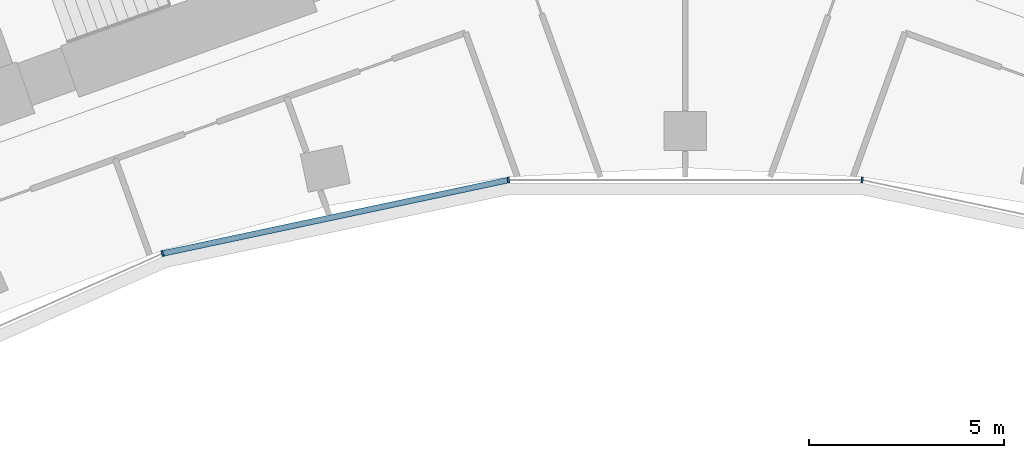
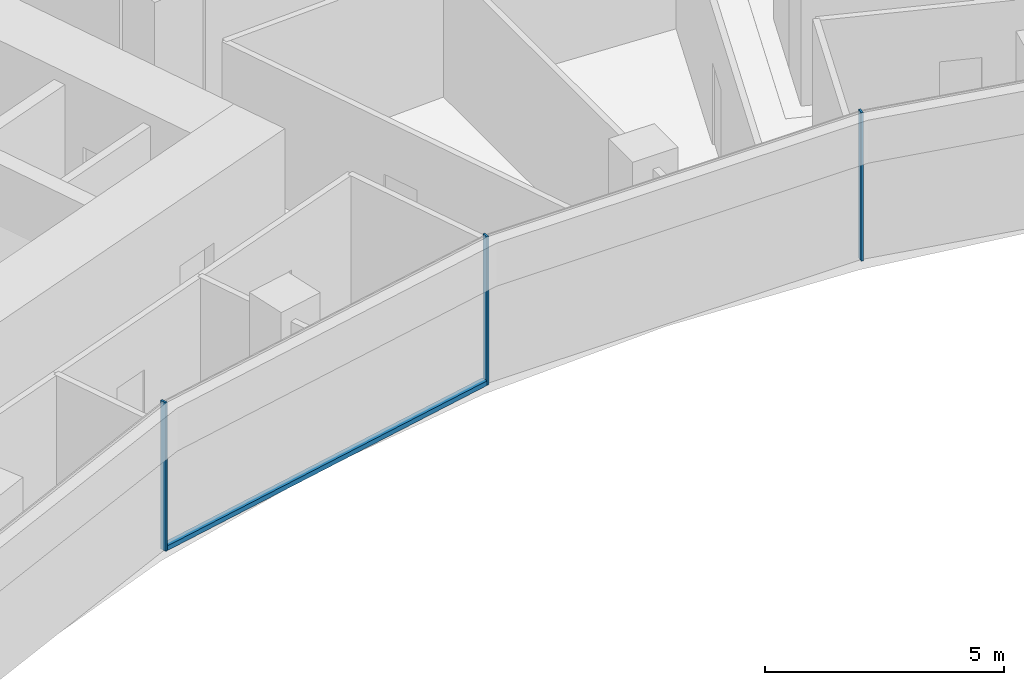
# One storey, part 5 of 21: 4 members, 1 element without a shape of its own.
"""IFC4 building model written with IfcOpenShell, lengths in metres."""

from ifc_helpers import new_model, si_unit, direction, frame, origin, origin_2d, place, context, subcontext, project, spatial, rectangle, extrude, material, layer, layer_set, material_profile, profile_set, type_object, element, aggregate, save


model = new_model("IFC4")

# Units and contexts
model_context = context("Model", 3, precision=1e-05, world=origin(), true_north=direction((0.0, 1.0)))
body_context = subcontext(model_context, "Body", "Model", "MODEL_VIEW")
ifc_project = project(units=[si_unit("LENGTHUNIT", "METRE"), si_unit("AREAUNIT", "SQUARE_METRE"), si_unit("VOLUMEUNIT", "CUBIC_METRE"), si_unit("PLANEANGLEUNIT", "RADIAN"), si_unit("MASSUNIT", "GRAM", prefix="KILO")], contexts=[model_context])

# Site, building, storey
site_placement = place(None, origin())
site = spatial("IfcSite", under=ifc_project, at=site_placement, CompositionType="ELEMENT")
building_placement = place(site_placement, origin())
building = spatial("IfcBuilding", under=site, at=building_placement, Name="Stone Belt Terrace Tower", CompositionType="ELEMENT")
storey_placement = place(building_placement, frame((0.0, 0.0, 151.60009765625)))
storey = spatial("IfcBuildingStorey", under=building, at=storey_placement, Name="L36", CompositionType="ELEMENT", Elevation=151.60009765625)

# Curtain wall, members
ifc_material = material(Name="Aluminium 6063-T6 anodised frame", Category="aluminium")
ifc_layer = layer(ifc_material, 0.14990234375)
ifc_layer_set = layer_set([ifc_layer], Name="CW-B unitised concave-face curtain wall")
curtain_wall_type = type_object("IfcCurtainWallType", Name="CW-B unitised concave-face curtain wall", PredefinedType="NOTDEFINED", material=ifc_layer_set)
curtain_wall_placement = place(storey_placement, origin())
curtain_wall = element("IfcCurtainWall", 1, at=curtain_wall_placement, inside=storey, type_object=curtain_wall_type, Name="CW-B concave face L36", PredefinedType="NOTDEFINED")
ifc_material_profile_1 = material_profile(ifc_material, rectangle(XDim=0.14990234375, YDim=0.050048828125, at=origin_2d()), Name="Aluminium 6063-T6 50x150")
ifc_profile_set_1 = profile_set([ifc_material_profile_1], Name="Aluminium 6063-T6 anodised frame")
member_type_1 = type_object("IfcMemberType", Name="CW-B mullion 50 x 150", PredefinedType="MULLION", material=ifc_profile_set_1)
member_1_placement = place(storey_placement, frame((-13.4189453125, 41.29931640625, 0.0), z_axis=(0.0, 0.0, 1.0), x_axis=(-0.309016994375, 0.951056516295, 0.0)))
member_1 = element("IfcMember", 2, at=member_1_placement, type_object=member_type_1, Name="CW-B mullion 4", PredefinedType="MULLION", context=body_context, shape_type="SweptSolid", body=[
    extrude(rectangle(XDim=0.14990234375, YDim=0.050048828125, at=origin_2d()), origin(), (0.0, 0.0, 1.0), 3.7998046875),
])
member_2_placement = place(storey_placement, frame((-4.5390625, 43.186767578125, 0.0), z_axis=(0.0, 0.0, 1.0), x_axis=(-0.104528463268, 0.994521895368, 0.0)))
member_2 = element("IfcMember", 3, at=member_2_placement, type_object=member_type_1, Name="CW-B mullion 5", PredefinedType="MULLION", context=body_context, shape_type="SweptSolid", body=[
    extrude(rectangle(XDim=0.14990234375, YDim=0.050048828125, at=origin_2d()), origin(), (0.0, 0.0, 1.0), 3.7998046875),
])
member_3_placement = place(storey_placement, frame((4.5390625, 43.186767578125, 0.0), z_axis=(0.0, 0.0, 1.0), x_axis=(0.104528463268, 0.994521895368, 0.0)))
member_3 = element("IfcMember", 4, at=member_3_placement, type_object=member_type_1, Name="CW-B mullion 6", PredefinedType="MULLION", context=body_context, shape_type="SweptSolid", body=[
    extrude(rectangle(XDim=0.14990234375, YDim=0.050048828125, at=origin_2d()), origin(), (0.0, 0.0, 1.0), 3.7998046875),
])
ifc_material_profile_2 = material_profile(ifc_material, rectangle(XDim=0.14990234375, YDim=0.1201171875, at=origin_2d()), Name="Aluminium 6063-T6 150x120")
ifc_profile_set_2 = profile_set([ifc_material_profile_2], Name="Aluminium 6063-T6 anodised frame")
member_type_2 = type_object("IfcMemberType", Name="CW-B transom 120 x 150", PredefinedType="USERDEFINED", material=ifc_profile_set_2)
member_4_placement = place(storey_placement, frame((-13.386962890625, 41.30615234375, 0.059814453125), z_axis=(0.9781499003, 0.207900871914, 0.0), x_axis=(-0.207900871914, 0.9781499003, 0.0)))
member_4 = element("IfcMember", 5, at=member_4_placement, type_object=member_type_2, Name="CW-B transom 4.1", ObjectType="TRANSOM", PredefinedType="USERDEFINED", context=body_context, shape_type="SweptSolid", body=[
    extrude(rectangle(XDim=0.14990234375, YDim=0.1201171875, at=origin_2d()), origin(), (0.0, 0.0, 1.0), 9.012939453125),
])
aggregate(curtain_wall, [member_1, member_2, member_3, member_4])

save(model, "model.ifc")
